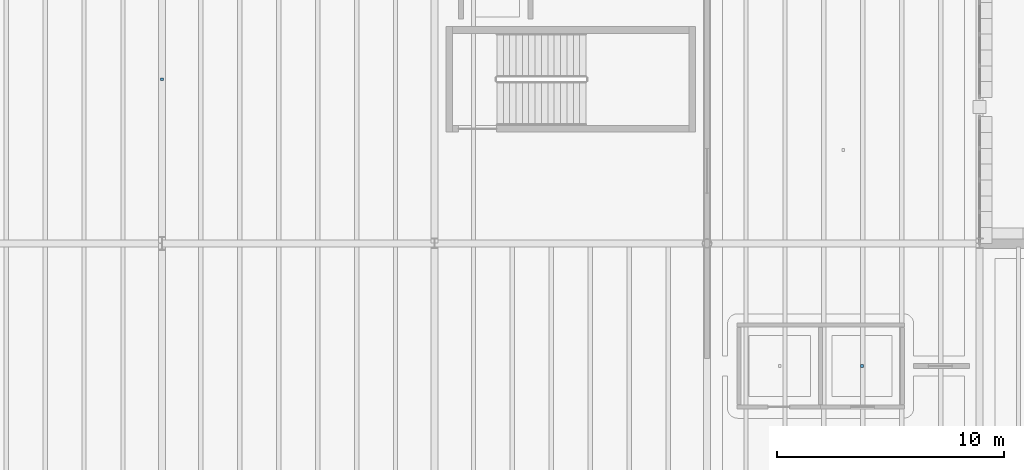
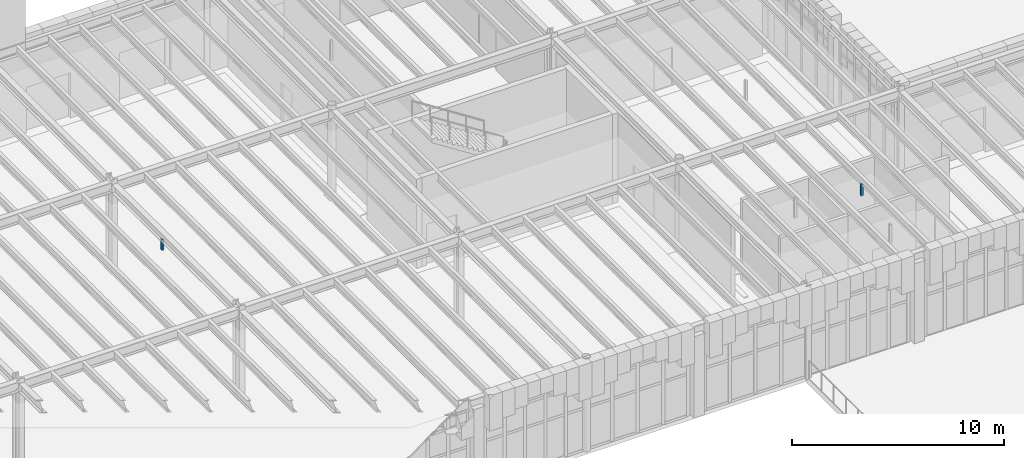
# One storey, part 68 of 103: 2 discrete accessories.
"""IFC4 building model written with IfcOpenShell, lengths in metres."""

from ifc_helpers import new_model, si_unit, direction, frame, origin, origin_2d, place, context, subcontext, project, spatial, rectangle, extrude, material, type_object, element, save


model = new_model("IFC4")

# Units and contexts
model_context = context("Model", 3, precision=1e-05, world=origin(), true_north=direction((0.0, 1.0)))
body_context = subcontext(model_context, "Body", "Model", "MODEL_VIEW")
ifc_project = project(units=[si_unit("LENGTHUNIT", "METRE"), si_unit("AREAUNIT", "SQUARE_METRE"), si_unit("VOLUMEUNIT", "CUBIC_METRE"), si_unit("PLANEANGLEUNIT", "RADIAN"), si_unit("MASSUNIT", "GRAM", prefix="KILO")], contexts=[model_context])

# Site, building, storey
site_placement = place(None, origin())
site = spatial("IfcSite", under=ifc_project, at=site_placement, CompositionType="ELEMENT")
building_placement = place(site_placement, origin())
building = spatial("IfcBuilding", under=site, at=building_placement, Name="Zlatogorsky Bluff Art Gallery", CompositionType="ELEMENT")
storey_placement = place(building_placement, origin())
storey = spatial("IfcBuildingStorey", under=building, at=storey_placement, Name="L00", CompositionType="ELEMENT", Elevation=0.0)

# Discrete accessories
ifc_material = material(Name="Steel S355", Category="steel")
discrete_accessory_type = type_object("IfcDiscreteAccessoryType", Name="Stainless Facade Fin Bracket BRK-01", PredefinedType="BRACKET", material=ifc_material)
discrete_accessory_1_placement = place(storey_placement, frame((54.824951171875, 90.60009765625, 4.05517578125), z_axis=(0.0, 0.0, 1.0), x_axis=(1.0, 0.0, 0.0)))
element("IfcDiscreteAccessory", 1, at=discrete_accessory_1_placement, inside=storey, type_object=discrete_accessory_type, Name="Acoustic ceiling suspension hanger L00-AWC", PredefinedType="BRACKET", context=body_context, shape_type="SweptSolid", body=[
    extrude(rectangle(XDim=0.1201171875, YDim=0.1201171875, at=origin_2d()), origin(), (0.0, 0.0, 1.0), 0.659912109375),
])
discrete_accessory_2_placement = place(storey_placement, frame((24.0, 103.22509765625, 4.054931640625), z_axis=(0.0, 0.0, 1.0), x_axis=(1.0, 0.0, 0.0)))
element("IfcDiscreteAccessory", 2, at=discrete_accessory_2_placement, inside=storey, type_object=discrete_accessory_type, Name="Acoustic ceiling suspension hanger L00-F1-12", PredefinedType="BRACKET", context=body_context, shape_type="SweptSolid", body=[
    extrude(rectangle(XDim=0.1201171875, YDim=0.1201171875, at=origin_2d()), origin(), (0.0, 0.0, 1.0), 0.6201171875),
])

save(model, "model.ifc")
